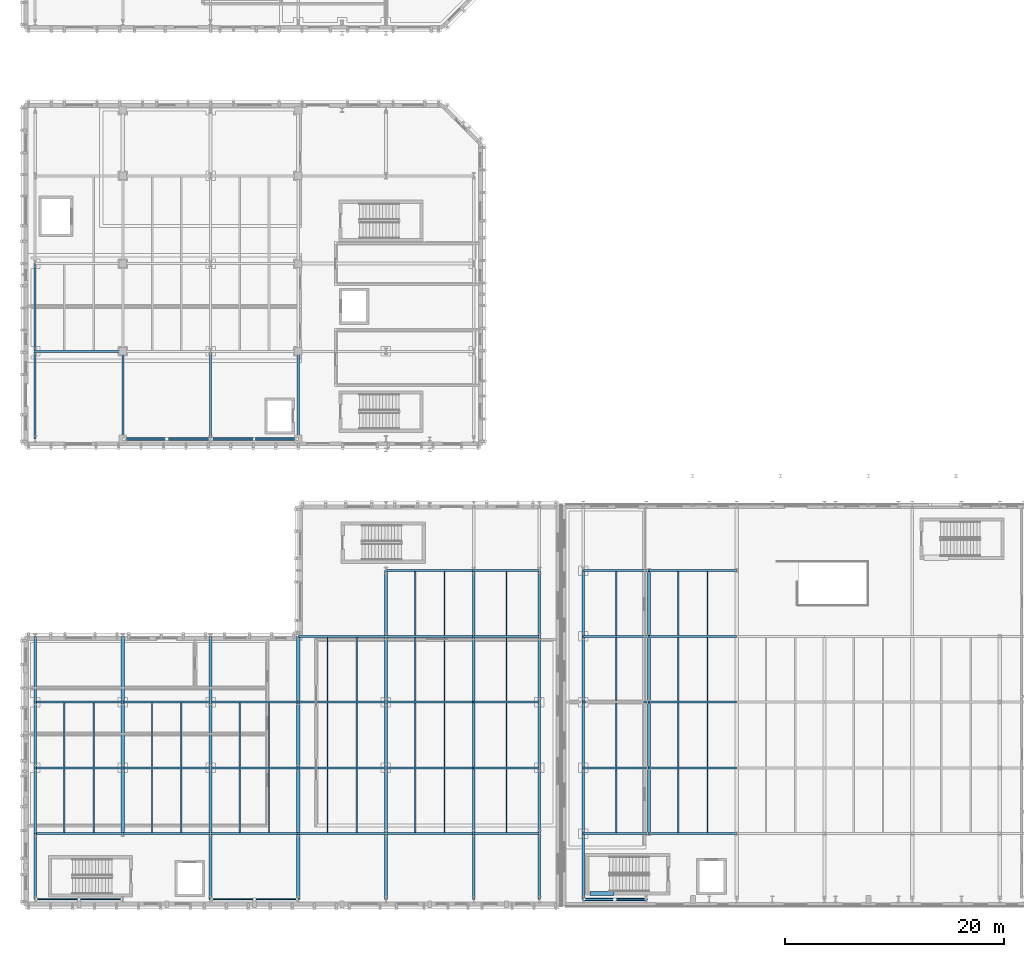
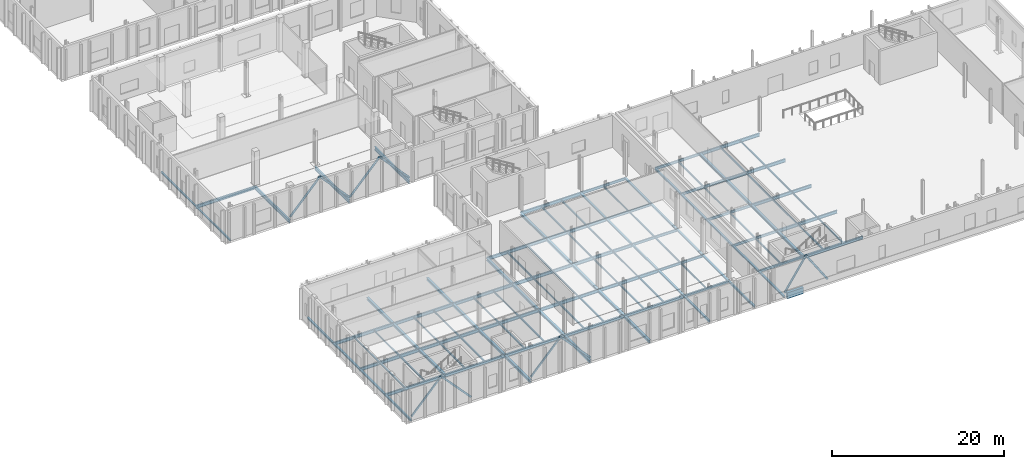
# One storey, part 12 of 60: 121 beams, 10 members.
"""IFC4 building model written with IfcOpenShell, lengths in metres."""

from ifc_helpers import new_model, si_unit, direction, frame, origin, origin_2d, place, context, subcontext, project, spatial, rectangle, hollow_rectangle, hollow_circle, i_section, extrude, material, material_profile, profile_set, type_object, element, save


model = new_model("IFC4")

# Units and contexts
model_context = context("Model", 3, precision=1e-05, world=origin(), true_north=direction((0.0, 1.0)))
body_context = subcontext(model_context, "Body", "Model", "MODEL_VIEW")
ifc_project = project(units=[si_unit("LENGTHUNIT", "METRE"), si_unit("AREAUNIT", "SQUARE_METRE"), si_unit("VOLUMEUNIT", "CUBIC_METRE"), si_unit("PLANEANGLEUNIT", "RADIAN"), si_unit("MASSUNIT", "GRAM", prefix="KILO")], contexts=[model_context])

# Site, building, storey
site_placement = place(None, origin())
site = spatial("IfcSite", under=ifc_project, at=site_placement, CompositionType="ELEMENT")
building_placement = place(site_placement, origin())
building = spatial("IfcBuilding", under=site, at=building_placement, Name="Cymarion Research Institute", CompositionType="ELEMENT")
storey_placement = place(building_placement, origin())
storey = spatial("IfcBuildingStorey", under=building, at=storey_placement, Name="L00", CompositionType="ELEMENT", Elevation=0.0)

# Beams
ifc_material_1 = material(Name="Concrete C40/50", Category="concrete")
ifc_material_profile_1 = material_profile(ifc_material_1, rectangle(XDim=0.35009765625, YDim=0.85009765625, at=origin_2d()), Name="RC 350x850")
ifc_profile_set_1 = profile_set([ifc_material_profile_1], Name="Concrete C40/50")
beam_type_1 = type_object("IfcBeamType", Name="COUPLING LINTEL LN02 RC 350x850", PredefinedType="LINTEL", material=ifc_profile_set_1)
beam_1_placement = place(storey_placement, frame((57.199951171875, 6.050048828125, -0.7451171875), z_axis=(1.0, 0.0, 0.0), x_axis=(0.0, 1.0, 0.0)))
element("IfcBeam", 1, at=beam_1_placement, inside=storey, type_object=beam_type_1, Name="L00 C3 core coupling lintel LN02", PredefinedType="LINTEL", context=body_context, shape_type="SweptSolid", body=[
    extrude(rectangle(XDim=0.35009765625, YDim=0.85009765625, at=origin_2d()), origin(), (0.0, 0.0, 1.0), 2.199951171875),
])
ifc_material_2 = material(Name="Steel S355", Category="steel")
ifc_material_profile_2 = material_profile(ifc_material_2, i_section(OverallWidth=0.199951171875, OverallDepth=0.5, WebThickness=0.01025390625, FlangeThickness=0.01611328125, FilletRadius=0.02099609375, at=origin_2d()), Name="IPE 500")
ifc_profile_set_2 = profile_set([ifc_material_profile_2], Name="Steel S355")
beam_type_2 = type_object("IfcBeamType", Name="PRIMARY GIRDER BM03 IPE 500", PredefinedType="BEAM", material=ifc_profile_set_2)
for number, where, z_axis, x_axis, name in (
    (2, (14.60009765625, 47.506103515625, -0.550048828125), (0.0, 1.0, 0.0), (-1.0, 0.0, 0.0), "L00 V4 girder BM03 #276"),
    (3, (22.60009765625, 47.506103515625, -0.550048828125), (0.0, 1.0, 0.0), (-1.0, 0.0, 0.0), "L00 V4 girder BM03 #280"),
    (4, (30.60009765625, 47.506103515625, -0.550048828125), (0.0, 1.0, 0.0), (-1.0, 0.0, 0.0), "L00 V4 girder BM03 #284"),
):
    element("IfcBeam", number, at=place(storey_placement, frame(where, z_axis=z_axis, x_axis=x_axis)), inside=storey, type_object=beam_type_2, Name=name, PredefinedType="BEAM", context=body_context, shape_type="SweptSolid", body=[
        extrude(i_section(OverallWidth=0.199951171875, OverallDepth=0.5, WebThickness=0.01025390625, FlangeThickness=0.01611328125, FilletRadius=0.02099609375, at=origin_2d()), origin(), (0.0, 0.0, 1.0), 7.98779296875),
    ])
ifc_material_profile_3 = material_profile(ifc_material_2, i_section(OverallWidth=0.18994140625, OverallDepth=0.449951171875, WebThickness=0.009521484375, FlangeThickness=0.0146484375, FilletRadius=0.02099609375, at=origin_2d()), Name="IPE 450")
ifc_profile_set_3 = profile_set([ifc_material_profile_3], Name="Steel S355")
beam_type_3 = type_object("IfcBeamType", Name="PRIMARY GIRDER BM04 IPE 450", PredefinedType="BEAM", material=ifc_profile_set_3)
for number, where, z_axis, x_axis, name in (
    (5, (62.60595703125, 11.5, -0.52490234375), (1.0, 0.0, 0.0), (0.0, 1.0, 0.0), "L00 V2 girder BM04 #77"),
    (6, (62.60595703125, 17.5, -0.52490234375), (1.0, 0.0, 0.0), (0.0, 1.0, 0.0), "L00 V2 girder BM04 #83"),
    (7, (62.60595703125, 23.5, -0.52490234375), (1.0, 0.0, 0.0), (0.0, 1.0, 0.0), "L00 V2 girder BM04 #89"),
    (8, (62.60595703125, 29.5, -0.52490234375), (1.0, 0.0, 0.0), (0.0, 1.0, 0.0), "L00 V2 girder BM04 #95"),
    (9, (62.60595703125, 35.5, -0.52490234375), (1.0, 0.0, 0.0), (0.0, 1.0, 0.0), "L00 V2 girder BM04 #101"),
    (10, (6.60595703125, 11.5, -0.52490234375), (1.0, 0.0, 0.0), (0.0, 1.0, 0.0), "L00 V3 girder BM04 #173"),
    (11, (14.60595703125, 11.5, -0.52490234375), (1.0, 0.0, 0.0), (0.0, 1.0, 0.0), "L00 V3 girder BM04 #174"),
    (12, (22.60595703125, 11.5, -0.52490234375), (1.0, 0.0, 0.0), (0.0, 1.0, 0.0), "L00 V3 girder BM04 #175"),
    (13, (30.60595703125, 11.5, -0.52490234375), (1.0, 0.0, 0.0), (0.0, 1.0, 0.0), "L00 V3 girder BM04 #176"),
    (14, (38.60595703125, 11.5, -0.52490234375), (1.0, 0.0, 0.0), (0.0, 1.0, 0.0), "L00 V3 girder BM04 #177"),
    (15, (6.60595703125, 17.5, -0.52490234375), (1.0, 0.0, 0.0), (0.0, 1.0, 0.0), "L00 V3 girder BM04 #179"),
    (16, (14.60595703125, 17.5, -0.52490234375), (1.0, 0.0, 0.0), (0.0, 1.0, 0.0), "L00 V3 girder BM04 #180"),
    (17, (22.60595703125, 17.5, -0.52490234375), (1.0, 0.0, 0.0), (0.0, 1.0, 0.0), "L00 V3 girder BM04 #181"),
    (18, (30.60595703125, 17.5, -0.52490234375), (1.0, 0.0, 0.0), (0.0, 1.0, 0.0), "L00 V3 girder BM04 #182"),
    (19, (38.60595703125, 17.5, -0.52490234375), (1.0, 0.0, 0.0), (0.0, 1.0, 0.0), "L00 V3 girder BM04 #183"),
    (20, (6.60595703125, 23.5, -0.52490234375), (1.0, 0.0, 0.0), (0.0, 1.0, 0.0), "L00 V3 girder BM04 #185"),
    (21, (14.60595703125, 23.5, -0.52490234375), (1.0, 0.0, 0.0), (0.0, 1.0, 0.0), "L00 V3 girder BM04 #186"),
    (22, (22.60595703125, 23.5, -0.52490234375), (1.0, 0.0, 0.0), (0.0, 1.0, 0.0), "L00 V3 girder BM04 #187"),
    (23, (30.60595703125, 23.5, -0.52490234375), (1.0, 0.0, 0.0), (0.0, 1.0, 0.0), "L00 V3 girder BM04 #188"),
    (24, (38.60595703125, 23.5, -0.52490234375), (1.0, 0.0, 0.0), (0.0, 1.0, 0.0), "L00 V3 girder BM04 #189"),
    (25, (30.60595703125, 29.5, -0.52490234375), (1.0, 0.0, 0.0), (0.0, 1.0, 0.0), "L00 V3 girder BM04 #191"),
    (26, (38.60595703125, 29.5, -0.52490234375), (1.0, 0.0, 0.0), (0.0, 1.0, 0.0), "L00 V3 girder BM04 #192"),
    (27, (38.60595703125, 35.5, -0.52490234375), (1.0, 0.0, 0.0), (0.0, 1.0, 0.0), "L00 V3 girder BM04 #194"),
    (28, (6.60595703125, 55.5, -0.52490234375), (1.0, 0.0, 0.0), (0.0, 1.0, 0.0), "L00 V4 girder BM04 #258"),
):
    element("IfcBeam", number, at=place(storey_placement, frame(where, z_axis=z_axis, x_axis=x_axis)), inside=storey, type_object=beam_type_3, Name=name, PredefinedType="BEAM", context=body_context, shape_type="SweptSolid", body=[
        extrude(i_section(OverallWidth=0.18994140625, OverallDepth=0.449951171875, WebThickness=0.009521484375, FlangeThickness=0.0146484375, FilletRadius=0.02099609375, at=origin_2d()), origin(), (0.0, 0.0, 1.0), 7.988037109375),
    ])
ifc_material_profile_4 = material_profile(ifc_material_2, i_section(OverallWidth=0.169921875, OverallDepth=0.360107421875, WebThickness=0.008056640625, FlangeThickness=0.0126953125, FilletRadius=0.01806640625, at=origin_2d()), Name="IPE 360")
ifc_profile_set_4 = profile_set([ifc_material_profile_4], Name="Steel S355")
beam_type_4 = type_object("IfcBeamType", Name="PRIMARY GIRDER BM06 IPE 360", PredefinedType="BEAM", material=ifc_profile_set_4)
for number, where, z_axis, x_axis, name in (
    (29, (56.60595703125, 11.5, -0.47998046875), (1.0, 0.0, 0.0), (0.0, 1.0, 0.0), "L00 V2 girder BM06 #76"),
    (30, (56.60595703125, 17.5, -0.47998046875), (1.0, 0.0, 0.0), (0.0, 1.0, 0.0), "L00 V2 girder BM06 #82"),
    (31, (56.60595703125, 23.5, -0.47998046875), (1.0, 0.0, 0.0), (0.0, 1.0, 0.0), "L00 V2 girder BM06 #88"),
    (32, (56.60595703125, 29.5, -0.47998046875), (1.0, 0.0, 0.0), (0.0, 1.0, 0.0), "L00 V2 girder BM06 #94"),
    (33, (56.60595703125, 35.5, -0.47998046875), (1.0, 0.0, 0.0), (0.0, 1.0, 0.0), "L00 V2 girder BM06 #100"),
    (34, (46.60595703125, 11.5, -0.47998046875), (1.0, 0.0, 0.0), (0.0, 1.0, 0.0), "L00 V3 girder BM06 #178"),
    (35, (46.60595703125, 17.5, -0.47998046875), (1.0, 0.0, 0.0), (0.0, 1.0, 0.0), "L00 V3 girder BM06 #184"),
    (36, (46.60595703125, 23.5, -0.47998046875), (1.0, 0.0, 0.0), (0.0, 1.0, 0.0), "L00 V3 girder BM06 #190"),
    (37, (46.60595703125, 29.5, -0.47998046875), (1.0, 0.0, 0.0), (0.0, 1.0, 0.0), "L00 V3 girder BM06 #193"),
    (38, (46.60595703125, 35.5, -0.47998046875), (1.0, 0.0, 0.0), (0.0, 1.0, 0.0), "L00 V3 girder BM06 #195"),
):
    element("IfcBeam", number, at=place(storey_placement, frame(where, z_axis=z_axis, x_axis=x_axis)), inside=storey, type_object=beam_type_4, Name=name, PredefinedType="BEAM", context=body_context, shape_type="SweptSolid", body=[
        extrude(i_section(OverallWidth=0.169921875, OverallDepth=0.360107421875, WebThickness=0.008056640625, FlangeThickness=0.0126953125, FilletRadius=0.01806640625, at=origin_2d()), origin(), (0.0, 0.0, 1.0), 5.988037109375),
    ])
ifc_material_profile_5 = material_profile(ifc_material_2, i_section(OverallWidth=0.300048828125, OverallDepth=0.35009765625, WebThickness=0.010009765625, FlangeThickness=0.017578125, FilletRadius=0.027099609375, at=origin_2d()), Name="HEA 360")
ifc_profile_set_5 = profile_set([ifc_material_profile_5], Name="Steel S355")
beam_type_5 = type_object("IfcBeamType", Name="PRIMARY GIRDER BM12 HEA 360", PredefinedType="BEAM", material=ifc_profile_set_5)
for number, where, z_axis, x_axis, name in (
    (39, (62.60009765625, 11.506103515625, -0.47509765625), (0.0, 1.0, 0.0), (-1.0, 0.0, 0.0), "L00 V2 girder BM12 #108"),
    (40, (62.60009765625, 17.506103515625, -0.47509765625), (0.0, 1.0, 0.0), (-1.0, 0.0, 0.0), "L00 V2 girder BM12 #109"),
    (41, (62.60009765625, 23.506103515625, -0.47509765625), (0.0, 1.0, 0.0), (-1.0, 0.0, 0.0), "L00 V2 girder BM12 #110"),
    (42, (62.60009765625, 29.506103515625, -0.47509765625), (0.0, 1.0, 0.0), (-1.0, 0.0, 0.0), "L00 V2 girder BM12 #111"),
    (43, (14.60009765625, 11.506103515625, -0.47509765625), (0.0, 1.0, 0.0), (-1.0, 0.0, 0.0), "L00 V3 girder BM12 #200"),
    (44, (14.60009765625, 17.506103515625, -0.47509765625), (0.0, 1.0, 0.0), (-1.0, 0.0, 0.0), "L00 V3 girder BM12 #201"),
    (45, (14.60009765625, 23.506103515625, -0.47509765625), (0.0, 1.0, 0.0), (-1.0, 0.0, 0.0), "L00 V3 girder BM12 #202"),
    (46, (22.60009765625, 5.506103515625, -0.47509765625), (0.0, 1.0, 0.0), (-1.0, 0.0, 0.0), "L00 V3 girder BM12 #203"),
    (47, (22.60009765625, 11.506103515625, -0.47509765625), (0.0, 1.0, 0.0), (-1.0, 0.0, 0.0), "L00 V3 girder BM12 #204"),
    (48, (22.60009765625, 17.506103515625, -0.47509765625), (0.0, 1.0, 0.0), (-1.0, 0.0, 0.0), "L00 V3 girder BM12 #205"),
    (49, (22.60009765625, 23.506103515625, -0.47509765625), (0.0, 1.0, 0.0), (-1.0, 0.0, 0.0), "L00 V3 girder BM12 #206"),
    (50, (30.60009765625, 5.506103515625, -0.47509765625), (0.0, 1.0, 0.0), (-1.0, 0.0, 0.0), "L00 V3 girder BM12 #207"),
    (51, (30.60009765625, 11.506103515625, -0.47509765625), (0.0, 1.0, 0.0), (-1.0, 0.0, 0.0), "L00 V3 girder BM12 #208"),
    (52, (30.60009765625, 17.506103515625, -0.47509765625), (0.0, 1.0, 0.0), (-1.0, 0.0, 0.0), "L00 V3 girder BM12 #209"),
    (53, (30.60009765625, 23.506103515625, -0.47509765625), (0.0, 1.0, 0.0), (-1.0, 0.0, 0.0), "L00 V3 girder BM12 #210"),
    (54, (38.60009765625, 5.506103515625, -0.47509765625), (0.0, 1.0, 0.0), (-1.0, 0.0, 0.0), "L00 V3 girder BM12 #211"),
    (55, (38.60009765625, 11.506103515625, -0.47509765625), (0.0, 1.0, 0.0), (-1.0, 0.0, 0.0), "L00 V3 girder BM12 #212"),
    (56, (38.60009765625, 17.506103515625, -0.47509765625), (0.0, 1.0, 0.0), (-1.0, 0.0, 0.0), "L00 V3 girder BM12 #213"),
    (57, (38.60009765625, 23.506103515625, -0.47509765625), (0.0, 1.0, 0.0), (-1.0, 0.0, 0.0), "L00 V3 girder BM12 #214"),
    (58, (38.60009765625, 29.506103515625, -0.47509765625), (0.0, 1.0, 0.0), (-1.0, 0.0, 0.0), "L00 V3 girder BM12 #215"),
):
    element("IfcBeam", number, at=place(storey_placement, frame(where, z_axis=z_axis, x_axis=x_axis)), inside=storey, type_object=beam_type_5, Name=name, PredefinedType="BEAM", context=body_context, shape_type="SweptSolid", body=[
        extrude(i_section(OverallWidth=0.300048828125, OverallDepth=0.35009765625, WebThickness=0.010009765625, FlangeThickness=0.017578125, FilletRadius=0.027099609375, at=origin_2d()), origin(), (0.0, 0.0, 1.0), 5.98779296875),
    ])
ifc_material_profile_6 = material_profile(ifc_material_2, i_section(OverallWidth=0.1201171875, OverallDepth=0.239990234375, WebThickness=0.006103515625, FlangeThickness=0.009765625, FilletRadius=0.014892578125, at=origin_2d()), Name="IPE 240")
ifc_profile_set_6 = profile_set([ifc_material_profile_6], Name="Steel S355")
beam_type_6 = type_object("IfcBeamType", Name="SECONDARY JOIST JS04 IPE 240", PredefinedType="JOIST", material=ifc_profile_set_6)
beam_2_placement = place(storey_placement, frame((59.60009765625, 11.589111328125, -0.419921875), z_axis=(0.0, 1.0, 0.0), x_axis=(-1.0, 0.0, 0.0)))
element("IfcBeam", 59, at=beam_2_placement, inside=storey, type_object=beam_type_6, Name="L00 V2 secondary joist JS04 #137", PredefinedType="JOIST", context=body_context, shape_type="SweptSolid", body=[
    extrude(i_section(OverallWidth=0.1201171875, OverallDepth=0.239990234375, WebThickness=0.006103515625, FlangeThickness=0.009765625, FilletRadius=0.014892578125, at=origin_2d()), origin(), (0.0, 0.0, 1.0), 5.82177734375),
])
for number, where, z_axis, x_axis, name in (
    (60, (65.2666015625, 11.59912109375, -0.419921875), (0.0, 1.0, 0.0), (-1.0, 0.0, 0.0), "L00 V2 secondary joist JS04 #138"),
    (61, (67.933349609375, 11.59912109375, -0.419921875), (0.0, 1.0, 0.0), (-1.0, 0.0, 0.0), "L00 V2 secondary joist JS04 #139"),
):
    element("IfcBeam", number, at=place(storey_placement, frame(where, z_axis=z_axis, x_axis=x_axis)), inside=storey, type_object=beam_type_6, Name=name, PredefinedType="JOIST", context=body_context, shape_type="SweptSolid", body=[
        extrude(i_section(OverallWidth=0.1201171875, OverallDepth=0.239990234375, WebThickness=0.006103515625, FlangeThickness=0.009765625, FilletRadius=0.014892578125, at=origin_2d()), origin(), (0.0, 0.0, 1.0), 5.8017578125),
    ])
beam_3_placement = place(storey_placement, frame((59.60009765625, 17.589111328125, -0.419921875), z_axis=(0.0, 1.0, 0.0), x_axis=(-1.0, 0.0, 0.0)))
element("IfcBeam", 62, at=beam_3_placement, inside=storey, type_object=beam_type_6, Name="L00 V2 secondary joist JS04 #148", PredefinedType="JOIST", context=body_context, shape_type="SweptSolid", body=[
    extrude(i_section(OverallWidth=0.1201171875, OverallDepth=0.239990234375, WebThickness=0.006103515625, FlangeThickness=0.009765625, FilletRadius=0.014892578125, at=origin_2d()), origin(), (0.0, 0.0, 1.0), 5.82177734375),
])
for number, where, z_axis, x_axis, name in (
    (63, (65.2666015625, 17.59912109375, -0.419921875), (0.0, 1.0, 0.0), (-1.0, 0.0, 0.0), "L00 V2 secondary joist JS04 #149"),
    (64, (67.933349609375, 17.59912109375, -0.419921875), (0.0, 1.0, 0.0), (-1.0, 0.0, 0.0), "L00 V2 secondary joist JS04 #150"),
):
    element("IfcBeam", number, at=place(storey_placement, frame(where, z_axis=z_axis, x_axis=x_axis)), inside=storey, type_object=beam_type_6, Name=name, PredefinedType="JOIST", context=body_context, shape_type="SweptSolid", body=[
        extrude(i_section(OverallWidth=0.1201171875, OverallDepth=0.239990234375, WebThickness=0.006103515625, FlangeThickness=0.009765625, FilletRadius=0.014892578125, at=origin_2d()), origin(), (0.0, 0.0, 1.0), 5.8017578125),
    ])
beam_4_placement = place(storey_placement, frame((59.60009765625, 23.589111328125, -0.419921875), z_axis=(0.0, 1.0, 0.0), x_axis=(-1.0, 0.0, 0.0)))
element("IfcBeam", 65, at=beam_4_placement, inside=storey, type_object=beam_type_6, Name="L00 V2 secondary joist JS04 #159", PredefinedType="JOIST", context=body_context, shape_type="SweptSolid", body=[
    extrude(i_section(OverallWidth=0.1201171875, OverallDepth=0.239990234375, WebThickness=0.006103515625, FlangeThickness=0.009765625, FilletRadius=0.014892578125, at=origin_2d()), origin(), (0.0, 0.0, 1.0), 5.82177734375),
])
for number, where, z_axis, x_axis, name in (
    (66, (65.2666015625, 23.59912109375, -0.419921875), (0.0, 1.0, 0.0), (-1.0, 0.0, 0.0), "L00 V2 secondary joist JS04 #160"),
    (67, (67.933349609375, 23.59912109375, -0.419921875), (0.0, 1.0, 0.0), (-1.0, 0.0, 0.0), "L00 V2 secondary joist JS04 #161"),
):
    element("IfcBeam", number, at=place(storey_placement, frame(where, z_axis=z_axis, x_axis=x_axis)), inside=storey, type_object=beam_type_6, Name=name, PredefinedType="JOIST", context=body_context, shape_type="SweptSolid", body=[
        extrude(i_section(OverallWidth=0.1201171875, OverallDepth=0.239990234375, WebThickness=0.006103515625, FlangeThickness=0.009765625, FilletRadius=0.014892578125, at=origin_2d()), origin(), (0.0, 0.0, 1.0), 5.8017578125),
    ])
beam_5_placement = place(storey_placement, frame((59.60009765625, 29.589111328125, -0.419921875), z_axis=(0.0, 1.0, 0.0), x_axis=(-1.0, 0.0, 0.0)))
element("IfcBeam", 68, at=beam_5_placement, inside=storey, type_object=beam_type_6, Name="L00 V2 secondary joist JS04 #170", PredefinedType="JOIST", context=body_context, shape_type="SweptSolid", body=[
    extrude(i_section(OverallWidth=0.1201171875, OverallDepth=0.239990234375, WebThickness=0.006103515625, FlangeThickness=0.009765625, FilletRadius=0.014892578125, at=origin_2d()), origin(), (0.0, 0.0, 1.0), 5.82177734375),
])
for number, where, z_axis, x_axis, name in (
    (69, (65.2666015625, 29.59912109375, -0.419921875), (0.0, 1.0, 0.0), (-1.0, 0.0, 0.0), "L00 V2 secondary joist JS04 #171"),
    (70, (67.933349609375, 29.59912109375, -0.419921875), (0.0, 1.0, 0.0), (-1.0, 0.0, 0.0), "L00 V2 secondary joist JS04 #172"),
    (71, (9.2666015625, 11.59912109375, -0.419921875), (0.0, 1.0, 0.0), (-1.0, 0.0, 0.0), "L00 V3 secondary joist JS04 #228"),
    (72, (11.933349609375, 11.59912109375, -0.419921875), (0.0, 1.0, 0.0), (-1.0, 0.0, 0.0), "L00 V3 secondary joist JS04 #229"),
    (73, (17.2666015625, 11.59912109375, -0.419921875), (0.0, 1.0, 0.0), (-1.0, 0.0, 0.0), "L00 V3 secondary joist JS04 #230"),
    (74, (19.933349609375, 11.59912109375, -0.419921875), (0.0, 1.0, 0.0), (-1.0, 0.0, 0.0), "L00 V3 secondary joist JS04 #231"),
    (75, (25.2666015625, 11.59912109375, -0.419921875), (0.0, 1.0, 0.0), (-1.0, 0.0, 0.0), "L00 V3 secondary joist JS04 #232"),
    (76, (27.933349609375, 11.59912109375, -0.419921875), (0.0, 1.0, 0.0), (-1.0, 0.0, 0.0), "L00 V3 secondary joist JS04 #233"),
    (77, (33.2666015625, 11.59912109375, -0.419921875), (0.0, 1.0, 0.0), (-1.0, 0.0, 0.0), "L00 V3 secondary joist JS04 #234"),
    (78, (35.933349609375, 11.59912109375, -0.419921875), (0.0, 1.0, 0.0), (-1.0, 0.0, 0.0), "L00 V3 secondary joist JS04 #235"),
    (79, (41.2666015625, 11.59912109375, -0.419921875), (0.0, 1.0, 0.0), (-1.0, 0.0, 0.0), "L00 V3 secondary joist JS04 #236"),
    (80, (43.933349609375, 11.59912109375, -0.419921875), (0.0, 1.0, 0.0), (-1.0, 0.0, 0.0), "L00 V3 secondary joist JS04 #237"),
):
    element("IfcBeam", number, at=place(storey_placement, frame(where, z_axis=z_axis, x_axis=x_axis)), inside=storey, type_object=beam_type_6, Name=name, PredefinedType="JOIST", context=body_context, shape_type="SweptSolid", body=[
        extrude(i_section(OverallWidth=0.1201171875, OverallDepth=0.239990234375, WebThickness=0.006103515625, FlangeThickness=0.009765625, FilletRadius=0.014892578125, at=origin_2d()), origin(), (0.0, 0.0, 1.0), 5.8017578125),
    ])
beam_6_placement = place(storey_placement, frame((49.60009765625, 11.589111328125, -0.419921875), z_axis=(0.0, 1.0, 0.0), x_axis=(-1.0, 0.0, 0.0)))
element("IfcBeam", 81, at=beam_6_placement, inside=storey, type_object=beam_type_6, Name="L00 V3 secondary joist JS04 #238", PredefinedType="JOIST", context=body_context, shape_type="SweptSolid", body=[
    extrude(i_section(OverallWidth=0.1201171875, OverallDepth=0.239990234375, WebThickness=0.006103515625, FlangeThickness=0.009765625, FilletRadius=0.014892578125, at=origin_2d()), origin(), (0.0, 0.0, 1.0), 5.82177734375),
])
for number, where, z_axis, x_axis, name in (
    (82, (9.2666015625, 17.59912109375, -0.419921875), (0.0, 1.0, 0.0), (-1.0, 0.0, 0.0), "L00 V3 secondary joist JS04 #239"),
    (83, (11.933349609375, 17.59912109375, -0.419921875), (0.0, 1.0, 0.0), (-1.0, 0.0, 0.0), "L00 V3 secondary joist JS04 #240"),
    (84, (17.2666015625, 17.59912109375, -0.419921875), (0.0, 1.0, 0.0), (-1.0, 0.0, 0.0), "L00 V3 secondary joist JS04 #241"),
    (85, (19.933349609375, 17.59912109375, -0.419921875), (0.0, 1.0, 0.0), (-1.0, 0.0, 0.0), "L00 V3 secondary joist JS04 #242"),
    (86, (25.2666015625, 17.59912109375, -0.419921875), (0.0, 1.0, 0.0), (-1.0, 0.0, 0.0), "L00 V3 secondary joist JS04 #243"),
    (87, (27.933349609375, 17.59912109375, -0.419921875), (0.0, 1.0, 0.0), (-1.0, 0.0, 0.0), "L00 V3 secondary joist JS04 #244"),
    (88, (33.2666015625, 17.59912109375, -0.419921875), (0.0, 1.0, 0.0), (-1.0, 0.0, 0.0), "L00 V3 secondary joist JS04 #245"),
    (89, (35.933349609375, 17.59912109375, -0.419921875), (0.0, 1.0, 0.0), (-1.0, 0.0, 0.0), "L00 V3 secondary joist JS04 #246"),
    (90, (41.2666015625, 17.59912109375, -0.419921875), (0.0, 1.0, 0.0), (-1.0, 0.0, 0.0), "L00 V3 secondary joist JS04 #247"),
    (91, (43.933349609375, 17.59912109375, -0.419921875), (0.0, 1.0, 0.0), (-1.0, 0.0, 0.0), "L00 V3 secondary joist JS04 #248"),
):
    element("IfcBeam", number, at=place(storey_placement, frame(where, z_axis=z_axis, x_axis=x_axis)), inside=storey, type_object=beam_type_6, Name=name, PredefinedType="JOIST", context=body_context, shape_type="SweptSolid", body=[
        extrude(i_section(OverallWidth=0.1201171875, OverallDepth=0.239990234375, WebThickness=0.006103515625, FlangeThickness=0.009765625, FilletRadius=0.014892578125, at=origin_2d()), origin(), (0.0, 0.0, 1.0), 5.8017578125),
    ])
beam_7_placement = place(storey_placement, frame((49.60009765625, 17.589111328125, -0.419921875), z_axis=(0.0, 1.0, 0.0), x_axis=(-1.0, 0.0, 0.0)))
element("IfcBeam", 92, at=beam_7_placement, inside=storey, type_object=beam_type_6, Name="L00 V3 secondary joist JS04 #249", PredefinedType="JOIST", context=body_context, shape_type="SweptSolid", body=[
    extrude(i_section(OverallWidth=0.1201171875, OverallDepth=0.239990234375, WebThickness=0.006103515625, FlangeThickness=0.009765625, FilletRadius=0.014892578125, at=origin_2d()), origin(), (0.0, 0.0, 1.0), 5.82177734375),
])
for number, where, z_axis, x_axis, name in (
    (93, (33.2666015625, 23.59912109375, -0.419921875), (0.0, 1.0, 0.0), (-1.0, 0.0, 0.0), "L00 V3 secondary joist JS04 #250"),
    (94, (35.933349609375, 23.59912109375, -0.419921875), (0.0, 1.0, 0.0), (-1.0, 0.0, 0.0), "L00 V3 secondary joist JS04 #251"),
    (95, (41.2666015625, 23.59912109375, -0.419921875), (0.0, 1.0, 0.0), (-1.0, 0.0, 0.0), "L00 V3 secondary joist JS04 #252"),
    (96, (43.933349609375, 23.59912109375, -0.419921875), (0.0, 1.0, 0.0), (-1.0, 0.0, 0.0), "L00 V3 secondary joist JS04 #253"),
):
    element("IfcBeam", number, at=place(storey_placement, frame(where, z_axis=z_axis, x_axis=x_axis)), inside=storey, type_object=beam_type_6, Name=name, PredefinedType="JOIST", context=body_context, shape_type="SweptSolid", body=[
        extrude(i_section(OverallWidth=0.1201171875, OverallDepth=0.239990234375, WebThickness=0.006103515625, FlangeThickness=0.009765625, FilletRadius=0.014892578125, at=origin_2d()), origin(), (0.0, 0.0, 1.0), 5.8017578125),
    ])
beam_8_placement = place(storey_placement, frame((49.60009765625, 23.589111328125, -0.419921875), z_axis=(0.0, 1.0, 0.0), x_axis=(-1.0, 0.0, 0.0)))
element("IfcBeam", 97, at=beam_8_placement, inside=storey, type_object=beam_type_6, Name="L00 V3 secondary joist JS04 #254", PredefinedType="JOIST", context=body_context, shape_type="SweptSolid", body=[
    extrude(i_section(OverallWidth=0.1201171875, OverallDepth=0.239990234375, WebThickness=0.006103515625, FlangeThickness=0.009765625, FilletRadius=0.014892578125, at=origin_2d()), origin(), (0.0, 0.0, 1.0), 5.82177734375),
])
for number, where, z_axis, x_axis, name in (
    (98, (41.2666015625, 29.59912109375, -0.419921875), (0.0, 1.0, 0.0), (-1.0, 0.0, 0.0), "L00 V3 secondary joist JS04 #255"),
    (99, (43.933349609375, 29.59912109375, -0.419921875), (0.0, 1.0, 0.0), (-1.0, 0.0, 0.0), "L00 V3 secondary joist JS04 #256"),
):
    element("IfcBeam", number, at=place(storey_placement, frame(where, z_axis=z_axis, x_axis=x_axis)), inside=storey, type_object=beam_type_6, Name=name, PredefinedType="JOIST", context=body_context, shape_type="SweptSolid", body=[
        extrude(i_section(OverallWidth=0.1201171875, OverallDepth=0.239990234375, WebThickness=0.006103515625, FlangeThickness=0.009765625, FilletRadius=0.014892578125, at=origin_2d()), origin(), (0.0, 0.0, 1.0), 5.8017578125),
    ])
beam_9_placement = place(storey_placement, frame((49.60009765625, 29.589111328125, -0.419921875), z_axis=(0.0, 1.0, 0.0), x_axis=(-1.0, 0.0, 0.0)))
element("IfcBeam", 100, at=beam_9_placement, inside=storey, type_object=beam_type_6, Name="L00 V3 secondary joist JS04 #257", PredefinedType="JOIST", context=body_context, shape_type="SweptSolid", body=[
    extrude(i_section(OverallWidth=0.1201171875, OverallDepth=0.239990234375, WebThickness=0.006103515625, FlangeThickness=0.009765625, FilletRadius=0.014892578125, at=origin_2d()), origin(), (0.0, 0.0, 1.0), 5.82177734375),
])
ifc_material_profile_7 = material_profile(ifc_material_2, i_section(OverallWidth=0.239990234375, OverallDepth=0.22998046875, WebThickness=0.007568359375, FlangeThickness=0.011962890625, FilletRadius=0.02099609375, at=origin_2d()), Name="HEA 240")
ifc_profile_set_7 = profile_set([ifc_material_profile_7], Name="Steel S355")
beam_type_7 = type_object("IfcBeamType", Name="SPANDREL BEAM SPB03 HEA 240", PredefinedType="SPANDREL", material=ifc_profile_set_7)
for number, where, z_axis, x_axis, name in (
    (101, (56.60009765625, 5.506103515625, -0.4150390625), (0.0, 1.0, 0.0), (-1.0, 0.0, 0.0), "L00 V2 girder SPB03 #102"),
    (102, (56.60009765625, 11.506103515625, -0.4150390625), (0.0, 1.0, 0.0), (-1.0, 0.0, 0.0), "L00 V2 girder SPB03 #103"),
    (103, (56.60009765625, 17.506103515625, -0.4150390625), (0.0, 1.0, 0.0), (-1.0, 0.0, 0.0), "L00 V2 girder SPB03 #104"),
    (104, (56.60009765625, 23.506103515625, -0.4150390625), (0.0, 1.0, 0.0), (-1.0, 0.0, 0.0), "L00 V2 girder SPB03 #105"),
    (105, (56.60009765625, 29.506103515625, -0.4150390625), (0.0, 1.0, 0.0), (-1.0, 0.0, 0.0), "L00 V2 girder SPB03 #106"),
    (106, (6.60009765625, 5.506103515625, -0.4150390625), (0.0, 1.0, 0.0), (-1.0, 0.0, 0.0), "L00 V3 girder SPB03 #196"),
    (107, (6.60009765625, 11.506103515625, -0.4150390625), (0.0, 1.0, 0.0), (-1.0, 0.0, 0.0), "L00 V3 girder SPB03 #197"),
    (108, (6.60009765625, 17.506103515625, -0.4150390625), (0.0, 1.0, 0.0), (-1.0, 0.0, 0.0), "L00 V3 girder SPB03 #198"),
    (109, (6.60009765625, 23.506103515625, -0.4150390625), (0.0, 1.0, 0.0), (-1.0, 0.0, 0.0), "L00 V3 girder SPB03 #199"),
    (110, (46.60009765625, 5.506103515625, -0.4150390625), (0.0, 1.0, 0.0), (-1.0, 0.0, 0.0), "L00 V3 girder SPB03 #216"),
    (111, (46.60009765625, 11.506103515625, -0.4150390625), (0.0, 1.0, 0.0), (-1.0, 0.0, 0.0), "L00 V3 girder SPB03 #217"),
    (112, (46.60009765625, 17.506103515625, -0.4150390625), (0.0, 1.0, 0.0), (-1.0, 0.0, 0.0), "L00 V3 girder SPB03 #218"),
    (113, (46.60009765625, 23.506103515625, -0.4150390625), (0.0, 1.0, 0.0), (-1.0, 0.0, 0.0), "L00 V3 girder SPB03 #219"),
    (114, (46.60009765625, 29.506103515625, -0.4150390625), (0.0, 1.0, 0.0), (-1.0, 0.0, 0.0), "L00 V3 girder SPB03 #220"),
    (115, (52.60009765625, 5.506103515625, -0.4150390625), (0.0, 1.0, 0.0), (-1.0, 0.0, 0.0), "L00 V3 girder SPB03 #222"),
    (116, (52.60009765625, 11.506103515625, -0.4150390625), (0.0, 1.0, 0.0), (-1.0, 0.0, 0.0), "L00 V3 girder SPB03 #223"),
    (117, (52.60009765625, 17.506103515625, -0.4150390625), (0.0, 1.0, 0.0), (-1.0, 0.0, 0.0), "L00 V3 girder SPB03 #224"),
    (118, (52.60009765625, 23.506103515625, -0.4150390625), (0.0, 1.0, 0.0), (-1.0, 0.0, 0.0), "L00 V3 girder SPB03 #225"),
    (119, (52.60009765625, 29.506103515625, -0.4150390625), (0.0, 1.0, 0.0), (-1.0, 0.0, 0.0), "L00 V3 girder SPB03 #226"),
):
    element("IfcBeam", number, at=place(storey_placement, frame(where, z_axis=z_axis, x_axis=x_axis)), inside=storey, type_object=beam_type_7, Name=name, PredefinedType="SPANDREL", context=body_context, shape_type="SweptSolid", body=[
        extrude(i_section(OverallWidth=0.239990234375, OverallDepth=0.22998046875, WebThickness=0.007568359375, FlangeThickness=0.011962890625, FilletRadius=0.02099609375, at=origin_2d()), origin(), (0.0, 0.0, 1.0), 5.98779296875),
    ])
ifc_material_profile_8 = material_profile(ifc_material_2, i_section(OverallWidth=0.199951171875, OverallDepth=0.18994140625, WebThickness=0.006591796875, FlangeThickness=0.010009765625, FilletRadius=0.01806640625, at=origin_2d()), Name="HEA 200")
ifc_profile_set_8 = profile_set([ifc_material_profile_8], Name="Steel S355")
beam_type_8 = type_object("IfcBeamType", Name="SPANDREL BEAM SPB04 HEA 200", PredefinedType="SPANDREL", material=ifc_profile_set_8)
for number, where, z_axis, x_axis, name in (
    (120, (6.60009765625, 47.506103515625, -0.39501953125), (0.0, 1.0, 0.0), (-1.0, 0.0, 0.0), "L00 V4 girder SPB04 #272"),
    (121, (6.60009765625, 55.506103515625, -0.39501953125), (0.0, 1.0, 0.0), (-1.0, 0.0, 0.0), "L00 V4 girder SPB04 #273"),
):
    element("IfcBeam", number, at=place(storey_placement, frame(where, z_axis=z_axis, x_axis=x_axis)), inside=storey, type_object=beam_type_8, Name=name, PredefinedType="SPANDREL", context=body_context, shape_type="SweptSolid", body=[
        extrude(i_section(OverallWidth=0.199951171875, OverallDepth=0.18994140625, WebThickness=0.006591796875, FlangeThickness=0.010009765625, FilletRadius=0.01806640625, at=origin_2d()), origin(), (0.0, 0.0, 1.0), 7.98779296875),
    ])

# Members
ifc_material_profile_9 = material_profile(ifc_material_2, hollow_circle(Radius=0.136474609375, WallThickness=0.012451171875, at=origin_2d()), Name="CHS 273.0x12.5")
ifc_profile_set_9 = profile_set([ifc_material_profile_9], Name="Steel S355")
member_type_1 = type_object("IfcMemberType", Name="STRUCTURAL MEMBER BR04 CHS 273.0x12.5", PredefinedType="BRACE", material=ifc_profile_set_9)
for number, where, z_axis, x_axis, name in (
    (122, (56.611083984375, 5.5, 0.1201171875), (0.554503450107, 0.0, 0.832181424823), (0.0, 1.0, 0.0), "L00 V2 seismic chevron brace BR04 #1"),
    (123, (62.3388671875, 5.5, 0.1201171875), (-0.554470650043, 0.0, 0.832203279398), (0.0, -1.0, 0.0), "L00 V2 seismic chevron brace BR04 #2"),
):
    element("IfcMember", number, at=place(storey_placement, frame(where, z_axis=z_axis, x_axis=x_axis)), inside=storey, type_object=member_type_1, Name=name, PredefinedType="BRACE", context=body_context, shape_type="SweptSolid", body=[
        extrude(hollow_circle(Radius=0.136474609375, WallThickness=0.012451171875, at=origin_2d()), origin(), (0.0, 0.0, 1.0), 5.15478515625),
    ])
for number, where, z_axis, x_axis, name in (
    (124, (14.613525390625, 47.5, 0.1201171875), (0.68011656358, 0.0, 0.733103989857), (0.0, 1.0, 0.0), "L00 V4 seismic chevron brace BR04 #1"),
    (125, (22.58642578125, 47.5, 0.1201171875), (-0.68011656358, 0.0, 0.733103989857), (0.0, -1.0, 0.0), "L00 V4 seismic chevron brace BR04 #2"),
    (126, (22.613525390625, 47.5, 0.1201171875), (0.68011656358, 0.0, 0.733103989857), (0.0, 1.0, 0.0), "L00 V4 seismic chevron brace BR04 #1"),
    (127, (30.58642578125, 47.5, 0.1201171875), (-0.68011656358, 0.0, 0.733103989857), (0.0, -1.0, 0.0), "L00 V4 seismic chevron brace BR04 #2"),
):
    element("IfcMember", number, at=place(storey_placement, frame(where, z_axis=z_axis, x_axis=x_axis)), inside=storey, type_object=member_type_1, Name=name, PredefinedType="BRACE", context=body_context, shape_type="SweptSolid", body=[
        extrude(hollow_circle(Radius=0.136474609375, WallThickness=0.012451171875, at=origin_2d()), origin(), (0.0, 0.0, 1.0), 5.8515625),
    ])
ifc_material_profile_10 = material_profile(ifc_material_2, hollow_rectangle(XDim=0.14990234375, YDim=0.25, WallThickness=0.010009765625, InnerFilletRadius=0.014892578125, OuterFilletRadius=0.02490234375, at=origin_2d()), Name="RHS 250x150x10")
ifc_profile_set_10 = profile_set([ifc_material_profile_10], Name="Steel S355")
member_type_2 = type_object("IfcMemberType", Name="STRUCTURAL MEMBER BR09 RHS 250x150x10", PredefinedType="BRACE", material=ifc_profile_set_10)
for number, where, z_axis, x_axis, name in (
    (128, (6.613525390625, 5.5, 0.1201171875), (0.68011656358, 0.0, 0.733103989857), (0.0, 1.0, 0.0), "L00 V3 seismic chevron brace BR09 #1"),
    (129, (14.58642578125, 5.5, 0.1201171875), (-0.68011656358, 0.0, 0.733103989857), (0.0, -1.0, 0.0), "L00 V3 seismic chevron brace BR09 #2"),
    (130, (22.613525390625, 5.5, 0.1201171875), (0.68011656358, 0.0, 0.733103989857), (0.0, 1.0, 0.0), "L00 V3 seismic chevron brace BR09 #1"),
    (131, (30.58642578125, 5.5, 0.1201171875), (-0.68011656358, 0.0, 0.733103989857), (0.0, -1.0, 0.0), "L00 V3 seismic chevron brace BR09 #2"),
):
    element("IfcMember", number, at=place(storey_placement, frame(where, z_axis=z_axis, x_axis=x_axis)), inside=storey, type_object=member_type_2, Name=name, PredefinedType="BRACE", context=body_context, shape_type="SweptSolid", body=[
        extrude(hollow_rectangle(XDim=0.14990234375, YDim=0.25, WallThickness=0.010009765625, InnerFilletRadius=0.014892578125, OuterFilletRadius=0.02490234375, at=origin_2d()), origin(), (0.0, 0.0, 1.0), 5.8515625),
    ])

save(model, "model.ifc")
